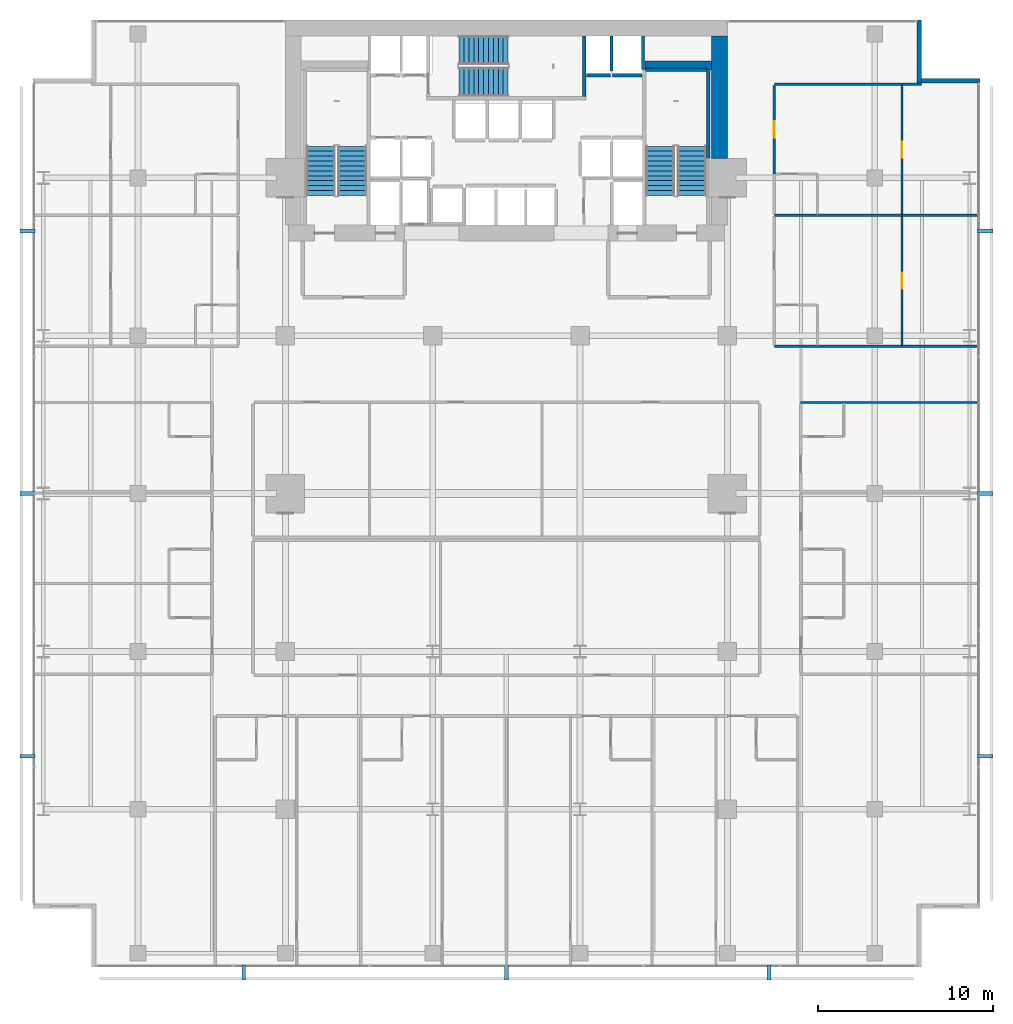
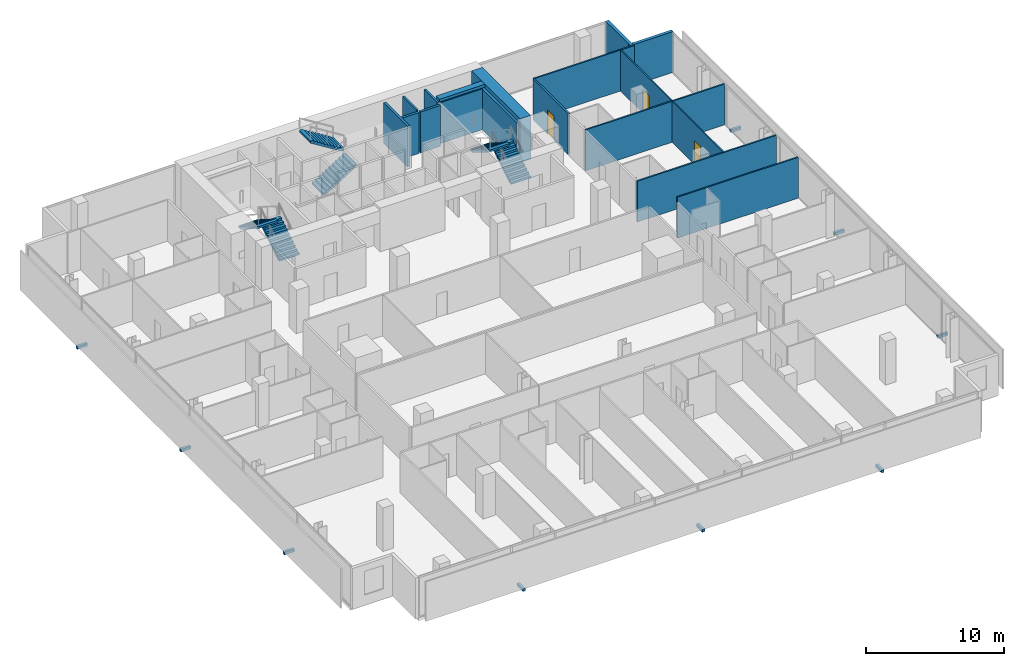
# One storey, part 37 of 39: 18 walls, 9 discrete accessories, 6 stair flights, 3 doors, 3 openings, 3 elements without a shape of their own.
"""IFC4 building model written with IfcOpenShell, lengths in metres."""

from ifc_helpers import new_model, si_unit, direction, frame, frame_2d, origin, origin_2d, place, context, subcontext, project, spatial, polyline, rectangle, outline, extrude, material, layer, layer_set, type_object, element, fill, aggregate, save


model = new_model("IFC4")

# Units and contexts
model_context = context("Model", 3, precision=1e-05, world=origin(), true_north=direction((0.0, 1.0)))
body_context = subcontext(model_context, "Body", "Model", "MODEL_VIEW")
ifc_project = project(units=[si_unit("LENGTHUNIT", "METRE"), si_unit("AREAUNIT", "SQUARE_METRE"), si_unit("VOLUMEUNIT", "CUBIC_METRE"), si_unit("PLANEANGLEUNIT", "RADIAN"), si_unit("MASSUNIT", "GRAM", prefix="KILO")], contexts=[model_context])

# Site, building, storey
site_placement = place(None, origin())
site = spatial("IfcSite", under=ifc_project, at=site_placement, CompositionType="ELEMENT")
building_placement = place(site_placement, origin())
building = spatial("IfcBuilding", under=site, at=building_placement, Name="Maruvema Waterfront Hotel and Observation Tower", CompositionType="ELEMENT")
storey_placement = place(building_placement, frame((0.0, 0.0, 46.199951171875)))
storey = spatial("IfcBuildingStorey", under=building, at=storey_placement, Name="L10", CompositionType="ELEMENT", Elevation=46.199951171875)

# Wall, opening, door
ifc_material_1 = material(Name="Twin-stud acoustic gypsum drywall", Category="gypsum")
ifc_layer_1 = layer(ifc_material_1, 0.14990234375, Name="Acoustic Corridor and Suite Demising Wall 150 mm")
ifc_layer_set_1 = layer_set([ifc_layer_1], Name="Twin-stud acoustic gypsum drywall")
wall_type_1 = type_object("IfcWallType", Name="Acoustic Corridor and Suite Demising Wall 150 mm", PredefinedType="PARTITIONING", material=ifc_layer_set_1)
wall_1_placement = place(storey_placement, frame((53.080078125, 45.21875, 0.0), z_axis=(0.0, 0.0, 1.0), x_axis=(0.0, 1.0, 0.0)))
wall_1 = element("IfcWall", 1, at=wall_1_placement, inside=storey, type_object=wall_type_1, Name="L10 Room L10-NE2 Corridor Wall 109", PredefinedType="PARTITIONING", context=body_context, shape_type="SweptSolid", body=[
    extrude(rectangle(XDim=5.058837890625, YDim=0.14990234375, at=frame_2d((2.529296875, 0.0))), origin(), (0.0, 0.0, 1.0), 3.610107421875),
])
opening_1_placement = place(wall_1_placement, frame((2.054443359375, 0.0, 0.0)))
opening_1 = element("IfcOpeningElement", 2, at=opening_1_placement, cuts=wall_1, Name="Opening DR-095", PredefinedType="OPENING", context=body_context, shape_type="SweptSolid", body=[
    extrude(rectangle(XDim=0.949951171875, YDim=2.14990234375, at=frame_2d((0.47509765625, 1.074951171875))), frame((0.0, 0.0849609375, 0.0), z_axis=(0.0, -1.0, 0.0), x_axis=(1.0, 0.0, 0.0)), (0.0, 0.0, 1.0), 0.169921875),
])
ifc_material_2 = material(Name="Acoustic solid-core hardwood timber leaf", Category="wood")
door_type_1 = type_object("IfcDoorType", Name="Guestroom Entrance Fire Door 950x2150 mm", OperationType="NOTDEFINED", PredefinedType="DOOR", material=ifc_material_2)
door_1_placement = place(opening_1_placement, frame((0.949951171875, 0.0, 0.0), z_axis=(0.0, 0.0, 1.0), x_axis=(-1.0, 0.0, 0.0)))
door_1 = element("IfcDoor", 3, at=door_1_placement, inside=storey, type_object=door_type_1, Name="L10 Room L10-NE2 Entrance Door", OperationType="SINGLE_SWING_RIGHT", OverallHeight=2.14990234375, OverallWidth=0.949951171875, PredefinedType="DOOR", context=body_context, shape_type="SweptSolid", body=[
    extrude(rectangle(XDim=0.949951171875, YDim=2.14990234375, at=frame_2d((0.47509765625, 1.074951171875))), frame((0.0, 0.02490234375, 0.0), z_axis=(0.0, -1.0, 0.0), x_axis=(1.0, 0.0, 0.0)), (0.0, 0.0, 1.0), 0.050048828125),
])
fill(opening_1, door_1)

# Walls
ifc_material_3 = material(Name="Precast concrete C45/55", Category="concrete")
ifc_layer_2 = layer(ifc_material_3, 0.199951171875, Name="Core Shaft and Stairwell Enclosure Wall 200 mm")
ifc_layer_set_2 = layer_set([ifc_layer_2], Name="Precast concrete C45/55")
wall_type_2 = type_object("IfcWallType", Name="Core Shaft and Stairwell Enclosure Wall 200 mm", PredefinedType="SOLIDWALL", material=ifc_layer_set_2)
wall_2_placement = place(storey_placement, frame((42.25, 49.64990234375, 0.0), z_axis=(0.0, 0.0, 1.0), x_axis=(0.0, 1.0, 0.0)))
element("IfcWall", 4, at=wall_2_placement, inside=storey, type_object=wall_type_2, Name="L10 Stairwell ST-02 Shaft Wall", PredefinedType="SOLIDWALL", context=body_context, shape_type="SweptSolid", body=[
    extrude(rectangle(XDim=3.4501953125, YDim=0.199951171875, at=frame_2d((1.72509765625, 0.0))), origin(), (0.0, 0.0, 1.0), 3.610107421875),
])
wall_3_placement = place(storey_placement, frame((49.300048828125, 46.1201171875, 0.0), z_axis=(0.0, 0.0, 1.0), x_axis=(0.0, 1.0, 0.0)))
element("IfcWall", 5, at=wall_3_placement, inside=storey, type_object=wall_type_2, Name="L10 Stairwell ST-03 Shaft Lining Wall", PredefinedType="SOLIDWALL", context=body_context, shape_type="SweptSolid", body=[
    extrude(rectangle(XDim=5.0, YDim=0.199951171875, at=frame_2d((2.5, 0.0))), origin(), (0.0, 0.0, 1.0), 3.610107421875),
])
wall_4_placement = place(storey_placement, frame((45.719970703125, 51.14990234375, 0.0), z_axis=(0.0, 0.0, 1.0), x_axis=(1.0, 0.0, 0.0)))
element("IfcWall", 6, at=wall_4_placement, inside=storey, type_object=wall_type_2, Name="L10 Stairwell ST-03 Shaft Lining Wall", PredefinedType="SOLIDWALL", context=body_context, shape_type="SweptSolid", body=[
    extrude(rectangle(XDim=3.5, YDim=0.199951171875, at=frame_2d((1.75, 0.0))), origin(), (0.0, 0.0, 1.0), 3.610107421875),
])
wall_5_placement = place(storey_placement, frame((42.360107421875, 50.85009765625, 0.0), z_axis=(0.0, 0.0, 1.0), x_axis=(1.0, 0.0, 0.0)))
element("IfcWall", 7, at=wall_5_placement, inside=storey, type_object=wall_type_2, Name="L10 Lift LF-07 Hoistway Front Wall", PredefinedType="SOLIDWALL", context=body_context, shape_type="SweptSolid", body=[
    extrude(rectangle(XDim=1.3798828125, YDim=0.199951171875, at=frame_2d((0.68994140625, 0.0))), origin(), (0.0, 0.0, 1.0), 3.610107421875),
])
wall_6_placement = place(storey_placement, frame((43.860107421875, 50.85009765625, 0.0), z_axis=(0.0, 0.0, 1.0), x_axis=(1.0, 0.0, 0.0)))
element("IfcWall", 8, at=wall_6_placement, inside=storey, type_object=wall_type_2, Name="L10 Lift LF-08 Hoistway Front Wall", PredefinedType="SOLIDWALL", context=body_context, shape_type="SweptSolid", body=[
    extrude(rectangle(XDim=1.679931640625, YDim=0.199951171875, at=frame_2d((0.83984375, 0.0))), origin(), (0.0, 0.0, 1.0), 3.610107421875),
])
ifc_material_4 = material(Name="Concrete C70/85", Category="concrete")
ifc_layer_3 = layer(ifc_material_4, 0.5, Name="Core Shear Wall 500 mm")
ifc_layer_set_3 = layer_set([ifc_layer_3], Name="Concrete C70/85")
wall_type_3 = type_object("IfcWallType", Name="Core Shear Wall 500 mm", PredefinedType="SHEAR", material=ifc_layer_set_3)
wall_7_placement = place(storey_placement, frame((45.699951171875, 51.39990234375, 0.0), z_axis=(0.0, 0.0, 1.0), x_axis=(1.0, 0.0, 0.0)))
element("IfcWall", 9, at=wall_7_placement, inside=storey, type_object=wall_type_3, Name="L10 Internal Core Shear Wall NE 500 mm", PredefinedType="SHEAR", context=body_context, shape_type="SweptSolid", body=[
    extrude(rectangle(XDim=3.800048828125, YDim=0.5, at=frame_2d((1.89990234375, 0.0))), origin(), (0.0, 0.0, 1.0), 3.85009765625),
])
ifc_material_5 = material(Name="Concrete C80/95", Category="concrete")
ifc_layer_4 = layer(ifc_material_5, 0.89990234375, Name="Core Shear Wall 900 mm")
ifc_layer_set_4 = layer_set([ifc_layer_4], Name="Concrete C80/95")
wall_type_4 = type_object("IfcWallType", Name="Core Shear Wall 900 mm", PredefinedType="SHEAR", material=ifc_layer_set_4)
wall_8_placement = place(storey_placement, frame((49.949951171875, 46.10009765625, 0.0), z_axis=(0.0, 0.0, 1.0), x_axis=(0.0, 1.0, 0.0)))
element("IfcWall", 10, at=wall_8_placement, inside=storey, type_object=wall_type_4, Name="L10 East-North Core Shear Wall", PredefinedType="SHEAR", context=body_context, shape_type="SweptSolid", body=[
    extrude(rectangle(XDim=7.0, YDim=0.89990234375, at=frame_2d((3.5, 0.0))), origin(), (0.0, 0.0, 1.0), 3.85009765625),
])

# Wall, opening, door
ifc_material_6 = material(Name="Moisture-resistant cement-board drywall", Category="gypsum")
ifc_layer_5 = layer(ifc_material_6, 0.10009765625, Name="En-Suite Moisture-Resistant Partition 100 mm")
ifc_layer_set_5 = layer_set([ifc_layer_5], Name="Moisture-resistant cement-board drywall")
wall_type_5 = type_object("IfcWallType", Name="En-Suite Moisture-Resistant Partition 100 mm", PredefinedType="PARTITIONING", material=ifc_layer_set_5)
wall_9_placement = place(storey_placement, frame((60.350341796875, 35.4599609375, 0.0), z_axis=(0.0, 0.0, 1.0), x_axis=(0.0, 1.0, 0.0)))
wall_9 = element("IfcWall", 11, at=wall_9_placement, inside=storey, type_object=wall_type_5, Name="L10 Suite L10-NE1 Split 100", PredefinedType="PARTITIONING", context=body_context, shape_type="SweptSolid", body=[
    extrude(rectangle(XDim=7.3486328125, YDim=0.10009765625, at=frame_2d((3.67431640625, 0.0))), origin(), (0.0, 0.0, 1.0), 3.610107421875),
])
opening_2_placement = place(wall_9_placement, frame((3.224365234375, 0.0, 0.0)))
opening_2 = element("IfcOpeningElement", 12, at=opening_2_placement, cuts=wall_9, Name="Opening DR-090", PredefinedType="OPENING", context=body_context, shape_type="SweptSolid", body=[
    extrude(rectangle(XDim=0.89990234375, YDim=2.10009765625, at=frame_2d((0.449951171875, 1.050048828125))), frame((0.0, 0.06005859375, 0.0), z_axis=(0.0, -1.0, 0.0), x_axis=(1.0, 0.0, 0.0)), (0.0, 0.0, 1.0), 0.1201171875),
])
ifc_material_7 = material(Name="Solid-core lacquered timber leaf", Category="wood")
door_type_2 = type_object("IfcDoorType", Name="Accessible Toilet and Room Door 900x2100 mm", OperationType="NOTDEFINED", PredefinedType="DOOR", material=ifc_material_7)
door_2_placement = place(opening_2_placement, frame((0.89990234375, 0.0, 0.0), z_axis=(0.0, 0.0, 1.0), x_axis=(-1.0, 0.0, 0.0)))
door_2 = element("IfcDoor", 13, at=door_2_placement, inside=storey, type_object=door_type_2, Name="L10 Suite L10-NE1 Bedroom Door", OperationType="SINGLE_SWING_LEFT", OverallHeight=2.10009765625, OverallWidth=0.89990234375, PredefinedType="DOOR", context=body_context, shape_type="SweptSolid", body=[
    extrude(rectangle(XDim=0.89990234375, YDim=2.10009765625, at=frame_2d((0.449951171875, 1.050048828125))), frame((0.0, 0.02490234375, 0.0), z_axis=(0.0, -1.0, 0.0), x_axis=(1.0, 0.0, 0.0)), (0.0, 0.0, 1.0), 0.050048828125),
])
fill(opening_2, door_2)

wall_10_placement = place(storey_placement, frame((60.350341796875, 42.9287109375, 0.0), z_axis=(0.0, 0.0, 1.0), x_axis=(0.0, 1.0, 0.0)))
wall_10 = element("IfcWall", 14, at=wall_10_placement, inside=storey, type_object=wall_type_5, Name="L10 Suite L10-NE2 Split 112", PredefinedType="PARTITIONING", context=body_context, shape_type="SweptSolid", body=[
    extrude(rectangle(XDim=7.348876953125, YDim=0.10009765625, at=frame_2d((3.67431640625, 0.0))), origin(), (0.0, 0.0, 1.0), 3.610107421875),
])
opening_3_placement = place(wall_10_placement, frame((3.224365234375, 0.0, 0.0)))
opening_3 = element("IfcOpeningElement", 15, at=opening_3_placement, cuts=wall_10, Name="Opening DR-090", PredefinedType="OPENING", context=body_context, shape_type="SweptSolid", body=[
    extrude(rectangle(XDim=0.89990234375, YDim=2.10009765625, at=frame_2d((0.449951171875, 1.050048828125))), frame((0.0, 0.06005859375, 0.0), z_axis=(0.0, -1.0, 0.0), x_axis=(1.0, 0.0, 0.0)), (0.0, 0.0, 1.0), 0.1201171875),
])
door_3_placement = place(opening_3_placement, frame((0.89990234375, 0.0, 0.0), z_axis=(0.0, 0.0, 1.0), x_axis=(-1.0, 0.0, 0.0)))
door_3 = element("IfcDoor", 16, at=door_3_placement, inside=storey, type_object=door_type_2, Name="L10 Suite L10-NE2 Bedroom Door", OperationType="SINGLE_SWING_LEFT", OverallHeight=2.10009765625, OverallWidth=0.89990234375, PredefinedType="DOOR", context=body_context, shape_type="SweptSolid", body=[
    extrude(rectangle(XDim=0.89990234375, YDim=2.10009765625, at=frame_2d((0.449951171875, 1.050048828125))), frame((0.0, 0.02490234375, 0.0), z_axis=(0.0, -1.0, 0.0), x_axis=(1.0, 0.0, 0.0)), (0.0, 0.0, 1.0), 0.050048828125),
])
fill(opening_3, door_3)

# Walls
ifc_material_8 = material(Name="Precast concrete C45/55 with honed Pernambuco granite facing", Category="masonry")
ifc_layer_6 = layer(ifc_material_8, 0.260009765625, Name="Exterior Granite Clad Spandrel and Pier Wall 260 mm")
ifc_layer_set_6 = layer_set([ifc_layer_6], Name="Precast concrete C45/55 with honed Pernambuco granite facing")
wall_type_6 = type_object("IfcWallType", Name="Exterior Granite Clad Spandrel and Pier Wall 260 mm", PredefinedType="SOLIDWALL", material=ifc_layer_set_6)
for number, where, z_axis, x_axis, name in (
    (17, (61.330078125, 54.0, 0.0), (0.0, 0.0, 1.0), (0.0, -1.0, 0.0), "L10 Corner Notch Granite Pier Wall NE1"),
    (18, (61.199951171875, 50.530029296875, 0.0), (0.0, 0.0, 1.0), (1.0, 0.0, 0.0), "L10 Corner Notch Granite Pier Wall NE2"),
):
    element("IfcWall", number, at=place(storey_placement, frame(where, z_axis=z_axis, x_axis=x_axis)), inside=storey, type_object=wall_type_6, Name=name, PredefinedType="SOLIDWALL", context=body_context, shape_type="SweptSolid", body=[
        extrude(rectangle(XDim=3.60009765625, YDim=0.260009765625, at=frame_2d((1.800048828125, 0.0))), origin(), (0.0, 0.0, 1.0), 3.610107421875),
    ])
ifc_material_9 = material(Name="Acoustic gypsum plasterboard drywall", Category="gypsum")
ifc_layer_7 = layer(ifc_material_9, 0.125, Name="Guestroom Acoustic Demising Wall 125 mm")
ifc_layer_set_7 = layer_set([ifc_layer_7], Name="Acoustic gypsum plasterboard drywall")
wall_type_7 = type_object("IfcWallType", Name="Guestroom Acoustic Demising Wall 125 mm", PredefinedType="PARTITIONING", material=ifc_layer_set_7)
wall_11_placement = place(storey_placement, frame((54.580078125, 32.199951171875, 0.0), z_axis=(0.0, 0.0, 1.0), x_axis=(1.0, 0.0, 0.0)))
element("IfcWall", 19, at=wall_11_placement, inside=storey, type_object=wall_type_7, Name="L10 E Top End 058", PredefinedType="PARTITIONING", context=body_context, shape_type="SweptSolid", body=[
    extrude(rectangle(XDim=10.119873046875, YDim=0.125, at=frame_2d((5.06005859375, 0.0))), origin(), (0.0, 0.0, 1.0), 3.610107421875),
])
wall_12_placement = place(storey_placement, frame((53.080078125, 35.39990234375, 0.0), z_axis=(0.0, 0.0, 1.0), x_axis=(1.0, 0.0, 0.0)))
element("IfcWall", 20, at=wall_12_placement, inside=storey, type_object=wall_type_7, Name="L10 NE Bot End 088", PredefinedType="PARTITIONING", context=body_context, shape_type="SweptSolid", body=[
    extrude(rectangle(XDim=11.619873046875, YDim=0.125, at=frame_2d((5.81005859375, 0.0))), origin(), (0.0, 0.0, 1.0), 3.610107421875),
])
wall_13_placement = place(storey_placement, frame((53.080078125, 50.33740234375, 0.0), z_axis=(0.0, 0.0, 1.0), x_axis=(1.0, 0.0, 0.0)))
element("IfcWall", 21, at=wall_13_placement, inside=storey, type_object=wall_type_7, Name="L10 NE Top End 090", PredefinedType="PARTITIONING", context=body_context, shape_type="SweptSolid", body=[
    extrude(rectangle(XDim=8.3798828125, YDim=0.125, at=frame_2d((4.18994140625, 0.0))), origin(), (0.0, 0.0, 1.0), 3.610107421875),
])
wall_14_placement = place(storey_placement, frame((53.080078125, 42.86865234375, 0.0), z_axis=(0.0, 0.0, 1.0), x_axis=(1.0, 0.0, 0.0)))
element("IfcWall", 22, at=wall_14_placement, inside=storey, type_object=wall_type_7, Name="L10 NE Demising 2 102", PredefinedType="PARTITIONING", context=body_context, shape_type="SweptSolid", body=[
    extrude(rectangle(XDim=11.619873046875, YDim=0.125, at=frame_2d((5.81005859375, 0.0))), origin(), (0.0, 0.0, 1.0), 3.610107421875),
])
ifc_material_10 = material(Name="Precast concrete C45/55", Category="concrete")
ifc_layer_8 = layer(ifc_material_10, 0.159912109375, Name="Lift Hoistway Divider Wall 160 mm")
ifc_layer_set_8 = layer_set([ifc_layer_8], Name="Precast concrete C45/55")
wall_type_8 = type_object("IfcWallType", Name="Lift Hoistway Divider Wall 160 mm", PredefinedType="SOLIDWALL", material=ifc_layer_set_8)
wall_15_placement = place(storey_placement, frame((45.590087890625, 51.179931640625, 0.0), z_axis=(0.0, 0.0, 1.0), x_axis=(0.0, 1.0, 0.0)))
element("IfcWall", 23, at=wall_15_placement, inside=storey, type_object=wall_type_8, Name="L10 Hoistway Divider Wall", PredefinedType="SOLIDWALL", context=body_context, shape_type="SweptSolid", body=[
    extrude(rectangle(XDim=1.920166015625, YDim=0.159912109375, at=frame_2d((0.9599609375, 0.0))), origin(), (0.0, 0.0, 1.0), 3.610107421875),
])
wall_16_placement = place(storey_placement, frame((43.800048828125, 51.10009765625, 0.0), z_axis=(0.0, 0.0, 1.0), x_axis=(0.0, 1.0, 0.0)))
element("IfcWall", 24, at=wall_16_placement, inside=storey, type_object=wall_type_8, Name="L10 Hoistway Divider Wall", PredefinedType="SOLIDWALL", context=body_context, shape_type="SweptSolid", body=[
    extrude(rectangle(XDim=2.0, YDim=0.159912109375, at=frame_2d((1.0, 0.0))), origin(), (0.0, 0.0, 1.0), 3.610107421875),
])

# Stair, stair flights
ifc_material_11 = material(Name="Concrete C50/60", Category="concrete")
stair_type = type_object("IfcStairType", Name="Dogleg Exit Stair 1650 mm (22R x 175.0 mm)", PredefinedType="HALF_TURN_STAIR", material=ifc_material_11)
stair_1_placement = place(storey_placement, origin())
stair_1 = element("IfcStair", 25, at=stair_1_placement, inside=storey, type_object=stair_type, Name="L10 ST-01", PredefinedType="HALF_TURN_STAIR")
ifc_material_12 = material(Name="Concrete C50/60", Category="concrete")
stair_flight_type = type_object("IfcStairFlightType", Name="Reinforced Concrete Stair Flight 1650 mm (11R x 175.0 mm)", PredefinedType="STRAIGHT", material=ifc_material_12)
stair_flight_1_placement = place(storey_placement, frame((29.02490234375, 44.0, 0.0), z_axis=(0.0, 0.0, 1.0), x_axis=(0.0, 1.0, 0.0)))
stair_flight_1 = element("IfcStairFlight", 26, at=stair_flight_1_placement, type_object=stair_flight_type, Name="ST-01 flight 1", NumberOfRisers=11, NumberOfTreads=10, PredefinedType="STRAIGHT", RiserHeight=0.175, TreadLength=0.28, context=body_context, shape_type="SweptSolid", body=[
    extrude(outline(polyline([(0.0, 0.0), (0.0, 0.175048828125), (0.280029296875, 0.175048828125), (0.280029296875, 0.35009765625), (0.56005859375, 0.35009765625), (0.56005859375, 0.52490234375), (0.840087890625, 0.52490234375), (0.840087890625, 0.699951171875), (1.1201171875, 0.699951171875), (1.1201171875, 0.875), (1.39990234375, 0.875), (1.39990234375, 1.050048828125), (1.679931640625, 1.050048828125), (1.679931640625, 1.22509765625), (1.9599609375, 1.22509765625), (1.9599609375, 1.39990234375), (2.239990234375, 1.39990234375), (2.239990234375, 1.574951171875), (2.52001953125, 1.574951171875), (2.52001953125, 1.75), (2.800048828125, 1.75), (2.800048828125, 1.925048828125), (2.800048828125, 1.5732421875), (0.28271484375, 0.0), (0.0, 0.0)])), frame((0.0, 0.824951171875, 0.0), z_axis=(0.0, -1.0, 0.0), x_axis=(1.0, 0.0, 0.0)), (0.0, 0.0, 1.0), 1.64990234375),
])
stair_flight_2_placement = place(storey_placement, frame((27.22509765625, 46.800048828125, 1.925048828125), z_axis=(0.0, 0.0, 1.0), x_axis=(0.0, -1.0, 0.0)))
stair_flight_2 = element("IfcStairFlight", 27, at=stair_flight_2_placement, type_object=stair_flight_type, Name="ST-01 flight 2", NumberOfRisers=11, NumberOfTreads=10, PredefinedType="STRAIGHT", RiserHeight=0.175, TreadLength=0.28, context=body_context, shape_type="SweptSolid", body=[
    extrude(outline(polyline([(0.0, 0.0), (0.0, 0.175048828125), (0.280029296875, 0.175048828125), (0.280029296875, 0.35009765625), (0.56005859375, 0.35009765625), (0.56005859375, 0.52490234375), (0.840087890625, 0.52490234375), (0.840087890625, 0.699951171875), (1.1201171875, 0.699951171875), (1.1201171875, 0.875), (1.39990234375, 0.875), (1.39990234375, 1.050048828125), (1.679931640625, 1.050048828125), (1.679931640625, 1.22509765625), (1.9599609375, 1.22509765625), (1.9599609375, 1.39990234375), (2.239990234375, 1.39990234375), (2.239990234375, 1.574951171875), (2.52001953125, 1.574951171875), (2.52001953125, 1.75), (2.800048828125, 1.75), (2.800048828125, 1.925048828125), (2.800048828125, 1.5732421875), (0.28271484375, 0.0), (0.0, 0.0)])), frame((0.0, 0.824951171875, 0.0), z_axis=(0.0, -1.0, 0.0), x_axis=(1.0, 0.0, 0.0)), (0.0, 0.0, 1.0), 1.64990234375),
])
aggregate(stair_1, [stair_flight_1, stair_flight_2])

stair_2_placement = place(storey_placement, origin())
stair_2 = element("IfcStair", 28, at=stair_2_placement, inside=storey, type_object=stair_type, Name="L10 ST-02", PredefinedType="HALF_TURN_STAIR")
stair_flight_3_placement = place(storey_placement, frame((35.10009765625, 50.47509765625, 0.0), z_axis=(0.0, 0.0, 1.0), x_axis=(1.0, 0.0, 0.0)))
stair_flight_3 = element("IfcStairFlight", 29, at=stair_flight_3_placement, type_object=stair_flight_type, Name="ST-02 flight 1", NumberOfRisers=11, NumberOfTreads=10, PredefinedType="STRAIGHT", RiserHeight=0.175, TreadLength=0.28, context=body_context, shape_type="SweptSolid", body=[
    extrude(outline(polyline([(0.0, 0.0), (0.0, 0.175048828125), (0.280029296875, 0.175048828125), (0.280029296875, 0.35009765625), (0.56005859375, 0.35009765625), (0.56005859375, 0.52490234375), (0.840087890625, 0.52490234375), (0.840087890625, 0.699951171875), (1.1201171875, 0.699951171875), (1.1201171875, 0.875), (1.39990234375, 0.875), (1.39990234375, 1.050048828125), (1.679931640625, 1.050048828125), (1.679931640625, 1.22509765625), (1.9599609375, 1.22509765625), (1.9599609375, 1.39990234375), (2.239990234375, 1.39990234375), (2.239990234375, 1.574951171875), (2.52001953125, 1.574951171875), (2.52001953125, 1.75), (2.800048828125, 1.75), (2.800048828125, 1.925048828125), (2.800048828125, 1.5732421875), (0.28271484375, 0.0), (0.0, 0.0)])), frame((0.0, 0.824951171875, 0.0), z_axis=(0.0, -1.0, 0.0), x_axis=(1.0, 0.0, 0.0)), (0.0, 0.0, 1.0), 1.64990234375),
])
stair_flight_4_placement = place(storey_placement, frame((37.89990234375, 52.27490234375, 1.925048828125), z_axis=(0.0, 0.0, 1.0), x_axis=(-1.0, 0.0, 0.0)))
stair_flight_4 = element("IfcStairFlight", 30, at=stair_flight_4_placement, type_object=stair_flight_type, Name="ST-02 flight 2", NumberOfRisers=11, NumberOfTreads=10, PredefinedType="STRAIGHT", RiserHeight=0.175, TreadLength=0.28, context=body_context, shape_type="SweptSolid", body=[
    extrude(outline(polyline([(0.0, 0.0), (0.0, 0.175048828125), (0.280029296875, 0.175048828125), (0.280029296875, 0.35009765625), (0.56005859375, 0.35009765625), (0.56005859375, 0.52490234375), (0.840087890625, 0.52490234375), (0.840087890625, 0.699951171875), (1.1201171875, 0.699951171875), (1.1201171875, 0.875), (1.39990234375, 0.875), (1.39990234375, 1.050048828125), (1.679931640625, 1.050048828125), (1.679931640625, 1.22509765625), (1.9599609375, 1.22509765625), (1.9599609375, 1.39990234375), (2.239990234375, 1.39990234375), (2.239990234375, 1.574951171875), (2.52001953125, 1.574951171875), (2.52001953125, 1.75), (2.800048828125, 1.75), (2.800048828125, 1.925048828125), (2.800048828125, 1.5732421875), (0.28271484375, 0.0), (0.0, 0.0)])), frame((0.0, 0.824951171875, 0.0), z_axis=(0.0, -1.0, 0.0), x_axis=(1.0, 0.0, 0.0)), (0.0, 0.0, 1.0), 1.64990234375),
])
aggregate(stair_2, [stair_flight_3, stair_flight_4])

stair_3_placement = place(storey_placement, origin())
stair_3 = element("IfcStair", 31, at=stair_3_placement, inside=storey, type_object=stair_type, Name="L10 ST-03", PredefinedType="HALF_TURN_STAIR")
stair_flight_5_placement = place(storey_placement, frame((48.375, 44.0, 0.0), z_axis=(0.0, 0.0, 1.0), x_axis=(0.0, 1.0, 0.0)))
stair_flight_5 = element("IfcStairFlight", 32, at=stair_flight_5_placement, type_object=stair_flight_type, Name="ST-03 flight 1", NumberOfRisers=11, NumberOfTreads=10, PredefinedType="STRAIGHT", RiserHeight=0.175, TreadLength=0.28, context=body_context, shape_type="SweptSolid", body=[
    extrude(outline(polyline([(0.0, 0.0), (0.0, 0.175048828125), (0.280029296875, 0.175048828125), (0.280029296875, 0.35009765625), (0.56005859375, 0.35009765625), (0.56005859375, 0.52490234375), (0.840087890625, 0.52490234375), (0.840087890625, 0.699951171875), (1.1201171875, 0.699951171875), (1.1201171875, 0.875), (1.39990234375, 0.875), (1.39990234375, 1.050048828125), (1.679931640625, 1.050048828125), (1.679931640625, 1.22509765625), (1.9599609375, 1.22509765625), (1.9599609375, 1.39990234375), (2.239990234375, 1.39990234375), (2.239990234375, 1.574951171875), (2.52001953125, 1.574951171875), (2.52001953125, 1.75), (2.800048828125, 1.75), (2.800048828125, 1.925048828125), (2.800048828125, 1.5732421875), (0.28271484375, 0.0), (0.0, 0.0)])), frame((0.0, 0.824951171875, 0.0), z_axis=(0.0, -1.0, 0.0), x_axis=(1.0, 0.0, 0.0)), (0.0, 0.0, 1.0), 1.64990234375),
])
stair_flight_6_placement = place(storey_placement, frame((46.574951171875, 46.800048828125, 1.925048828125), z_axis=(0.0, 0.0, 1.0), x_axis=(0.0, -1.0, 0.0)))
stair_flight_6 = element("IfcStairFlight", 33, at=stair_flight_6_placement, type_object=stair_flight_type, Name="ST-03 flight 2", NumberOfRisers=11, NumberOfTreads=10, PredefinedType="STRAIGHT", RiserHeight=0.175, TreadLength=0.28, context=body_context, shape_type="SweptSolid", body=[
    extrude(outline(polyline([(0.0, 0.0), (0.0, 0.175048828125), (0.280029296875, 0.175048828125), (0.280029296875, 0.35009765625), (0.56005859375, 0.35009765625), (0.56005859375, 0.52490234375), (0.840087890625, 0.52490234375), (0.840087890625, 0.699951171875), (1.1201171875, 0.699951171875), (1.1201171875, 0.875), (1.39990234375, 0.875), (1.39990234375, 1.050048828125), (1.679931640625, 1.050048828125), (1.679931640625, 1.22509765625), (1.9599609375, 1.22509765625), (1.9599609375, 1.39990234375), (2.239990234375, 1.39990234375), (2.239990234375, 1.574951171875), (2.52001953125, 1.574951171875), (2.52001953125, 1.75), (2.800048828125, 1.75), (2.800048828125, 1.925048828125), (2.800048828125, 1.5732421875), (0.28271484375, 0.0), (0.0, 0.0)])), frame((0.0, 0.824951171875, 0.0), z_axis=(0.0, -1.0, 0.0), x_axis=(1.0, 0.0, 0.0)), (0.0, 0.0, 1.0), 1.64990234375),
])
aggregate(stair_3, [stair_flight_5, stair_flight_6])

# Discrete accessories
ifc_material_13 = material(Name="Duplex stainless steel Grade 2205", Category="steel")
discrete_accessory_type = type_object("IfcDiscreteAccessoryType", Name="Double-Skin Cavity Stainless Outrigger Bracket", PredefinedType="BRACKET", material=ifc_material_13)
for number, where, z_axis, x_axis, name in (
    (34, (22.823974609375, -0.300048828125, -0.14013671875), (0.0, 0.0, 1.0), (1.0, 0.0, 0.0), "L10 Outer Skin Support Bracket 1"),
    (35, (37.800048828125, -0.300048828125, -0.14013671875), (0.0, 0.0, 1.0), (1.0, 0.0, 0.0), "L10 Outer Skin Support Bracket 2"),
    (36, (52.77587890625, -0.300048828125, -0.14013671875), (0.0, 0.0, 1.0), (1.0, 0.0, 0.0), "L10 Outer Skin Support Bracket 3"),
    (37, (65.10009765625, 12.02392578125, -0.14013671875), (0.0, 0.0, 1.0), (0.0, 1.0, 0.0), "L10 Outer Skin Support Bracket 1"),
    (38, (65.10009765625, 27.0, -0.14013671875), (0.0, 0.0, 1.0), (0.0, 1.0, 0.0), "L10 Outer Skin Support Bracket 2"),
    (39, (65.10009765625, 41.97607421875, -0.14013671875), (0.0, 0.0, 1.0), (0.0, 1.0, 0.0), "L10 Outer Skin Support Bracket 3"),
    (40, (10.5, 41.97607421875, -0.14013671875), (0.0, 0.0, 1.0), (0.0, -1.0, 0.0), "L10 Outer Skin Support Bracket 1"),
    (41, (10.5, 27.0, -0.14013671875), (0.0, 0.0, 1.0), (0.0, -1.0, 0.0), "L10 Outer Skin Support Bracket 2"),
    (42, (10.5, 12.02392578125, -0.14013671875), (0.0, 0.0, 1.0), (0.0, -1.0, 0.0), "L10 Outer Skin Support Bracket 3"),
):
    element("IfcDiscreteAccessory", number, at=place(storey_placement, frame(where, z_axis=z_axis, x_axis=x_axis)), inside=storey, type_object=discrete_accessory_type, Name=name, PredefinedType="BRACKET", context=body_context, shape_type="SweptSolid", body=[
        extrude(rectangle(XDim=0.219970703125, YDim=0.860107421875, at=origin_2d()), origin(), (0.0, 0.0, 1.0), 0.239990234375),
    ])

save(model, "model.ifc")
